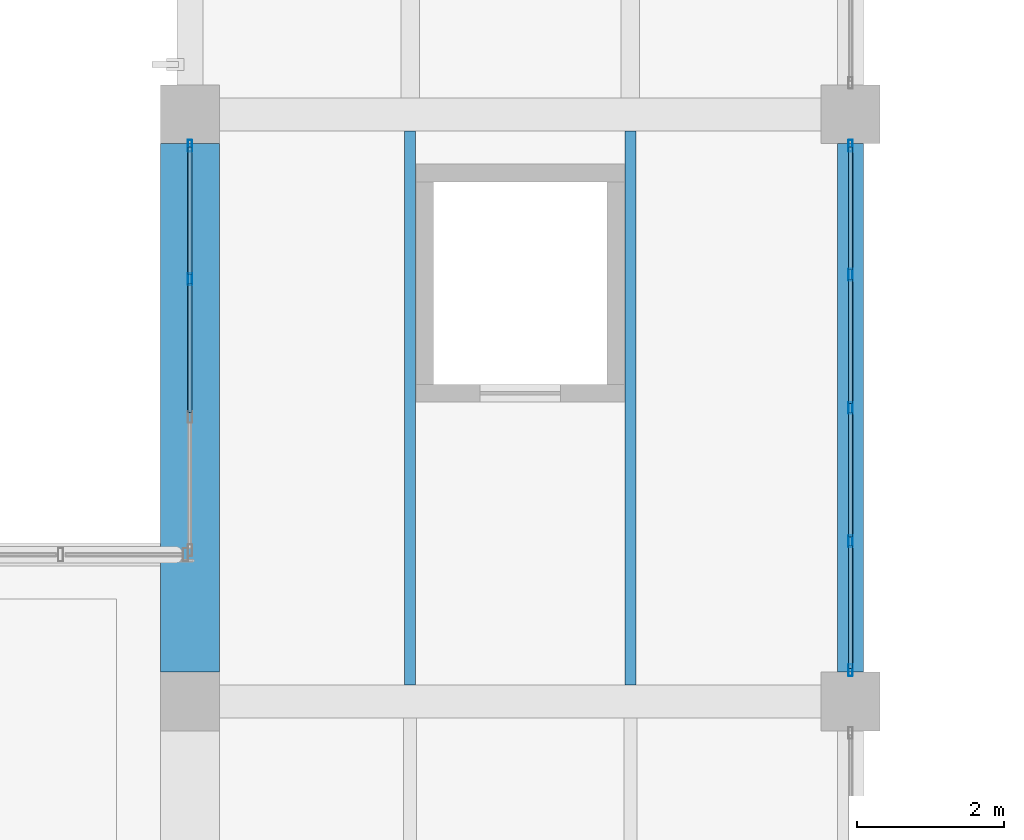
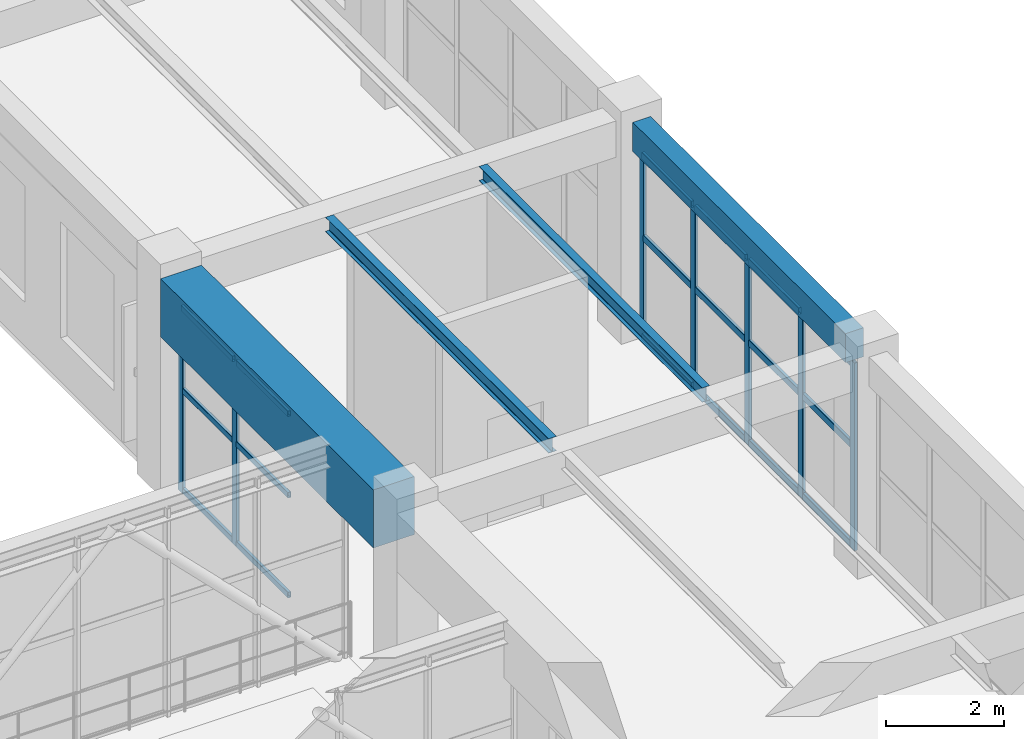
# One storey, part 68 of 178: 25 members, 4 beams, 2 elements without a shape of their own.
"""IFC4 building model written with IfcOpenShell, lengths in metres."""

from ifc_helpers import new_model, si_unit, derived_unit, direction, frame, origin, origin_2d, place, context, subcontext, project, spatial, rectangle, hollow_rectangle, i_section, extrude, material, material_profile, profile_set, type_object, element, aggregate, save


model = new_model("IFC4")

# Units and contexts
model_context = context("Model", 3, precision=1e-05, world=origin(), true_north=direction((0.0, 1.0)))
body_context = subcontext(model_context, "Body", "Model", "MODEL_VIEW")
ifc_project = project(units=[si_unit("LENGTHUNIT", "METRE"), si_unit("AREAUNIT", "SQUARE_METRE"), si_unit("VOLUMEUNIT", "CUBIC_METRE"), si_unit("PLANEANGLEUNIT", "RADIAN"), si_unit("MASSUNIT", "GRAM", prefix="KILO"), derived_unit("THERMALTRANSMITTANCEUNIT", [(si_unit("MASSUNIT", "GRAM", prefix="KILO"), 1), (si_unit("TIMEUNIT", "SECOND"), -3), (si_unit("THERMODYNAMICTEMPERATUREUNIT", "KELVIN"), -1)])], contexts=[model_context])

# Site, building, storey
site_placement = place(None, origin())
site = spatial("IfcSite", under=ifc_project, at=site_placement, CompositionType="ELEMENT")
building_placement = place(site_placement, origin())
building = spatial("IfcBuilding", under=site, at=building_placement, Name="Zhenchuan Archway Interchange", CompositionType="ELEMENT")
storey_placement = place(building_placement, frame((0.0, 0.0, 5.39990234375)))
storey = spatial("IfcBuildingStorey", under=building, at=storey_placement, Name="L01", CompositionType="ELEMENT", Elevation=5.39990234375)

# Beam
ifc_material_1 = material(Name="Concrete C50", Category="concrete")
ifc_material_profile_1 = material_profile(ifc_material_1, rectangle(XDim=0.800048828125, YDim=1.199951171875, at=origin_2d()), Name="RC 800x1200")
ifc_profile_set_1 = profile_set([ifc_material_profile_1], Name="Concrete C50")
beam_type_1 = type_object("IfcBeamType", Name="BM_RC_800x1200", PredefinedType="BEAM", material=ifc_profile_set_1)
beam_1_placement = place(storey_placement, frame((99.0, 56.39990234375, 3.91015625), z_axis=(0.0, 1.0, 0.0), x_axis=(-1.0, 0.0, 0.0)))
element("IfcBeam", 1, at=beam_1_placement, inside=storey, type_object=beam_type_1, Name="Beam 12:H-J (L01)", PredefinedType="BEAM", context=body_context, shape_type="SweptSolid", body=[
    extrude(rectangle(XDim=0.800048828125, YDim=1.199951171875, at=origin_2d()), origin(), (0.0, 0.0, 1.0), 7.2001953125),
])

# Curtain wall, members
ifc_material_2 = material(Name="Anodised Aluminium", Category="aluminium")
curtain_wall_type_1 = type_object("IfcCurtainWallType", Name="CW_UNIT_3", PredefinedType="NOTDEFINED", material=ifc_material_2)
curtain_wall_1_placement = place(storey_placement, origin())
curtain_wall_1 = element("IfcCurtainWall", 2, at=curtain_wall_1_placement, inside=storey, type_object=curtain_wall_type_1, Name="Unitised curtain wall CW:L01:058", PredefinedType="NOTDEFINED")
ifc_material_profile_2 = material_profile(ifc_material_2, hollow_rectangle(XDim=0.06005859375, YDim=0.159912109375, WallThickness=0.00390625, InnerFilletRadius=0.00390625, OuterFilletRadius=0.008056640625, at=origin_2d()), Name="ALU 160x60x4")
ifc_profile_set_2 = profile_set([ifc_material_profile_2], Name="Anodised Aluminium")
member_type_1 = type_object("IfcMemberType", Name="CW_MUL_150", PredefinedType="MULLION", material=ifc_profile_set_2)
member_1_placement = place(storey_placement, frame((99.0, 61.754638671875, 0.0), z_axis=(0.0, 0.0, 1.0), x_axis=(1.0, 0.0, 0.0)))
member_1 = element("IfcMember", 3, at=member_1_placement, type_object=member_type_1, Name="CW:L01:058 mullion 2", PredefinedType="MULLION", context=body_context, shape_type="SweptSolid", body=[
    extrude(hollow_rectangle(XDim=0.06005859375, YDim=0.159912109375, WallThickness=0.00390625, InnerFilletRadius=0.00390625, OuterFilletRadius=0.008056640625, at=origin_2d()), origin(), (0.0, 0.0, 1.0), 3.880126953125),
])
member_2_placement = place(storey_placement, frame((99.0, 63.572021484375, 0.0), z_axis=(0.0, 0.0, 1.0), x_axis=(1.0, 0.0, 0.0)))
member_2 = element("IfcMember", 4, at=member_2_placement, type_object=member_type_1, Name="CW:L01:058 mullion 3", PredefinedType="MULLION", context=body_context, shape_type="SweptSolid", body=[
    extrude(hollow_rectangle(XDim=0.06005859375, YDim=0.159912109375, WallThickness=0.00390625, InnerFilletRadius=0.00390625, OuterFilletRadius=0.008056640625, at=origin_2d()), origin(), (0.0, 0.0, 1.0), 3.880126953125),
])

curtain_wall_type_2 = type_object("IfcCurtainWallType", Name="CW_UNIT_4", PredefinedType="NOTDEFINED", material=ifc_material_2)
curtain_wall_2_placement = place(storey_placement, origin())
curtain_wall_2 = element("IfcCurtainWall", 5, at=curtain_wall_2_placement, inside=storey, type_object=curtain_wall_type_2, Name="Unitised curtain wall CW:L01:099", PredefinedType="NOTDEFINED")
member_3_placement = place(storey_placement, frame((108.0, 63.572021484375, 0.0), z_axis=(0.0, 0.0, 1.0), x_axis=(1.0, 0.0, 0.0)))
member_3 = element("IfcMember", 6, at=member_3_placement, type_object=member_type_1, Name="CW:L01:099 mullion 0", PredefinedType="MULLION", context=body_context, shape_type="SweptSolid", body=[
    extrude(hollow_rectangle(XDim=0.06005859375, YDim=0.159912109375, WallThickness=0.00390625, InnerFilletRadius=0.00390625, OuterFilletRadius=0.008056640625, at=origin_2d()), origin(), (0.0, 0.0, 1.0), 3.880126953125),
])
member_4_placement = place(storey_placement, frame((108.0, 61.81591796875, 0.0), z_axis=(0.0, 0.0, 1.0), x_axis=(1.0, 0.0, 0.0)))
member_4 = element("IfcMember", 7, at=member_4_placement, type_object=member_type_1, Name="CW:L01:099 mullion 1", PredefinedType="MULLION", context=body_context, shape_type="SweptSolid", body=[
    extrude(hollow_rectangle(XDim=0.06005859375, YDim=0.159912109375, WallThickness=0.00390625, InnerFilletRadius=0.00390625, OuterFilletRadius=0.008056640625, at=origin_2d()), origin(), (0.0, 0.0, 1.0), 3.880126953125),
])
member_5_placement = place(storey_placement, frame((108.0, 60.0, 0.0), z_axis=(0.0, 0.0, 1.0), x_axis=(1.0, 0.0, 0.0)))
member_5 = element("IfcMember", 8, at=member_5_placement, type_object=member_type_1, Name="CW:L01:099 mullion 2", PredefinedType="MULLION", context=body_context, shape_type="SweptSolid", body=[
    extrude(hollow_rectangle(XDim=0.06005859375, YDim=0.159912109375, WallThickness=0.00390625, InnerFilletRadius=0.00390625, OuterFilletRadius=0.008056640625, at=origin_2d()), origin(), (0.0, 0.0, 1.0), 3.880126953125),
])
member_6_placement = place(storey_placement, frame((108.0, 58.18408203125, 0.0), z_axis=(0.0, 0.0, 1.0), x_axis=(1.0, 0.0, 0.0)))
member_6 = element("IfcMember", 9, at=member_6_placement, type_object=member_type_1, Name="CW:L01:099 mullion 3", PredefinedType="MULLION", context=body_context, shape_type="SweptSolid", body=[
    extrude(hollow_rectangle(XDim=0.06005859375, YDim=0.159912109375, WallThickness=0.00390625, InnerFilletRadius=0.00390625, OuterFilletRadius=0.008056640625, at=origin_2d()), origin(), (0.0, 0.0, 1.0), 3.880126953125),
])
member_7_placement = place(storey_placement, frame((108.0, 56.427978515625, 0.0), z_axis=(0.0, 0.0, 1.0), x_axis=(1.0, 0.0, 0.0)))
member_7 = element("IfcMember", 10, at=member_7_placement, type_object=member_type_1, Name="CW:L01:099 mullion 4", PredefinedType="MULLION", context=body_context, shape_type="SweptSolid", body=[
    extrude(hollow_rectangle(XDim=0.06005859375, YDim=0.159912109375, WallThickness=0.00390625, InnerFilletRadius=0.00390625, OuterFilletRadius=0.008056640625, at=origin_2d()), origin(), (0.0, 0.0, 1.0), 3.880126953125),
])

# Member
ifc_material_profile_3 = material_profile(ifc_material_2, hollow_rectangle(XDim=0.06005859375, YDim=0.1201171875, WallThickness=0.00341796875, InnerFilletRadius=0.00341796875, OuterFilletRadius=0.007080078125, at=origin_2d()), Name="ALU 120x60x3.5")
ifc_profile_set_3 = profile_set([ifc_material_profile_3], Name="Anodised Aluminium")
member_type_2 = type_object("IfcMemberType", Name="CW_TRN_120", PredefinedType="USERDEFINED", material=ifc_profile_set_3)
member_8_placement = place(storey_placement, frame((99.0, 59.937255859375, 0.06005859375), z_axis=(0.0, 1.0, 0.0), x_axis=(-1.0, 0.0, 0.0)))
member_8 = element("IfcMember", 11, at=member_8_placement, type_object=member_type_2, Name="CW:L01:058 transom 1-1", ObjectType="TRANSOM", PredefinedType="USERDEFINED", context=body_context, shape_type="SweptSolid", body=[
    extrude(hollow_rectangle(XDim=0.06005859375, YDim=0.1201171875, WallThickness=0.00341796875, InnerFilletRadius=0.00341796875, OuterFilletRadius=0.007080078125, at=origin_2d()), origin(), (0.0, 0.0, 1.0), 1.75732421875),
])

member_9_placement = place(storey_placement, frame((99.0, 59.937255859375, 2.123046875), z_axis=(0.0, 1.0, 0.0), x_axis=(-1.0, 0.0, 0.0)))
member_9 = element("IfcMember", 12, at=member_9_placement, type_object=member_type_2, Name="CW:L01:058 transom 1-2", ObjectType="TRANSOM", PredefinedType="USERDEFINED", context=body_context, shape_type="SweptSolid", body=[
    extrude(hollow_rectangle(XDim=0.06005859375, YDim=0.1201171875, WallThickness=0.00341796875, InnerFilletRadius=0.00341796875, OuterFilletRadius=0.007080078125, at=origin_2d()), origin(), (0.0, 0.0, 1.0), 1.75732421875),
])

member_10_placement = place(storey_placement, frame((99.0, 59.937255859375, 3.800048828125), z_axis=(0.0, 1.0, 0.0), x_axis=(-1.0, 0.0, 0.0)))
member_10 = element("IfcMember", 13, at=member_10_placement, type_object=member_type_2, Name="CW:L01:058 transom 1-3", ObjectType="TRANSOM", PredefinedType="USERDEFINED", context=body_context, shape_type="SweptSolid", body=[
    extrude(hollow_rectangle(XDim=0.06005859375, YDim=0.1201171875, WallThickness=0.00341796875, InnerFilletRadius=0.00341796875, OuterFilletRadius=0.007080078125, at=origin_2d()), origin(), (0.0, 0.0, 1.0), 1.75732421875),
])

member_11_placement = place(storey_placement, frame((99.0, 61.814697265625, 0.06005859375), z_axis=(0.0, 1.0, 0.0), x_axis=(-1.0, 0.0, 0.0)))
member_11 = element("IfcMember", 14, at=member_11_placement, type_object=member_type_2, Name="CW:L01:058 transom 2-1", ObjectType="TRANSOM", PredefinedType="USERDEFINED", context=body_context, shape_type="SweptSolid", body=[
    extrude(hollow_rectangle(XDim=0.06005859375, YDim=0.1201171875, WallThickness=0.00341796875, InnerFilletRadius=0.00341796875, OuterFilletRadius=0.007080078125, at=origin_2d()), origin(), (0.0, 0.0, 1.0), 1.7373046875),
])

member_12_placement = place(storey_placement, frame((99.0, 61.814697265625, 2.123046875), z_axis=(0.0, 1.0, 0.0), x_axis=(-1.0, 0.0, 0.0)))
member_12 = element("IfcMember", 15, at=member_12_placement, type_object=member_type_2, Name="CW:L01:058 transom 2-2", ObjectType="TRANSOM", PredefinedType="USERDEFINED", context=body_context, shape_type="SweptSolid", body=[
    extrude(hollow_rectangle(XDim=0.06005859375, YDim=0.1201171875, WallThickness=0.00341796875, InnerFilletRadius=0.00341796875, OuterFilletRadius=0.007080078125, at=origin_2d()), origin(), (0.0, 0.0, 1.0), 1.7373046875),
])

member_13_placement = place(storey_placement, frame((99.0, 61.814697265625, 3.800048828125), z_axis=(0.0, 1.0, 0.0), x_axis=(-1.0, 0.0, 0.0)))
member_13 = element("IfcMember", 16, at=member_13_placement, type_object=member_type_2, Name="CW:L01:058 transom 2-3", ObjectType="TRANSOM", PredefinedType="USERDEFINED", context=body_context, shape_type="SweptSolid", body=[
    extrude(hollow_rectangle(XDim=0.06005859375, YDim=0.1201171875, WallThickness=0.00341796875, InnerFilletRadius=0.00341796875, OuterFilletRadius=0.007080078125, at=origin_2d()), origin(), (0.0, 0.0, 1.0), 1.7373046875),
])

aggregate(curtain_wall_1, [member_1, member_2, member_8, member_9, member_10, member_11, member_12, member_13])

ifc_material_profile_4 = material_profile(ifc_material_2, hollow_rectangle(XDim=0.06005859375, YDim=0.139892578125, WallThickness=0.00341796875, InnerFilletRadius=0.00341796875, OuterFilletRadius=0.007080078125, at=origin_2d()), Name="ALU 140x60x3.5")
ifc_profile_set_4 = profile_set([ifc_material_profile_4], Name="Anodised Aluminium")
member_type_3 = type_object("IfcMemberType", Name="CW_TRN_140", PredefinedType="USERDEFINED", material=ifc_profile_set_4)
member_14_placement = place(storey_placement, frame((108.0, 63.552001953125, 0.06005859375), z_axis=(0.0, -1.0, 0.0), x_axis=(1.0, 0.0, 0.0)))
member_14 = element("IfcMember", 17, at=member_14_placement, type_object=member_type_3, Name="CW:L01:099 transom 0-1", ObjectType="TRANSOM", PredefinedType="USERDEFINED", context=body_context, shape_type="SweptSolid", body=[
    extrude(hollow_rectangle(XDim=0.06005859375, YDim=0.139892578125, WallThickness=0.00341796875, InnerFilletRadius=0.00341796875, OuterFilletRadius=0.007080078125, at=origin_2d()), origin(), (0.0, 0.0, 1.0), 1.676025390625),
])

member_15_placement = place(storey_placement, frame((108.0, 63.552001953125, 2.123046875), z_axis=(0.0, -1.0, 0.0), x_axis=(1.0, 0.0, 0.0)))
member_15 = element("IfcMember", 18, at=member_15_placement, type_object=member_type_3, Name="CW:L01:099 transom 0-2", ObjectType="TRANSOM", PredefinedType="USERDEFINED", context=body_context, shape_type="SweptSolid", body=[
    extrude(hollow_rectangle(XDim=0.06005859375, YDim=0.139892578125, WallThickness=0.00341796875, InnerFilletRadius=0.00341796875, OuterFilletRadius=0.007080078125, at=origin_2d()), origin(), (0.0, 0.0, 1.0), 1.676025390625),
])

member_16_placement = place(storey_placement, frame((108.0, 63.552001953125, 3.800048828125), z_axis=(0.0, -1.0, 0.0), x_axis=(1.0, 0.0, 0.0)))
member_16 = element("IfcMember", 19, at=member_16_placement, type_object=member_type_3, Name="CW:L01:099 transom 0-3", ObjectType="TRANSOM", PredefinedType="USERDEFINED", context=body_context, shape_type="SweptSolid", body=[
    extrude(hollow_rectangle(XDim=0.06005859375, YDim=0.139892578125, WallThickness=0.00341796875, InnerFilletRadius=0.00341796875, OuterFilletRadius=0.007080078125, at=origin_2d()), origin(), (0.0, 0.0, 1.0), 1.676025390625),
])

member_17_placement = place(storey_placement, frame((108.0, 61.756103515625, 0.06005859375), z_axis=(0.0, -1.0, 0.0), x_axis=(1.0, 0.0, 0.0)))
member_17 = element("IfcMember", 20, at=member_17_placement, type_object=member_type_3, Name="CW:L01:099 transom 1-1", ObjectType="TRANSOM", PredefinedType="USERDEFINED", context=body_context, shape_type="SweptSolid", body=[
    extrude(hollow_rectangle(XDim=0.06005859375, YDim=0.139892578125, WallThickness=0.00341796875, InnerFilletRadius=0.00341796875, OuterFilletRadius=0.007080078125, at=origin_2d()), origin(), (0.0, 0.0, 1.0), 1.696044921875),
])

member_18_placement = place(storey_placement, frame((108.0, 61.756103515625, 2.123046875), z_axis=(0.0, -1.0, 0.0), x_axis=(1.0, 0.0, 0.0)))
member_18 = element("IfcMember", 21, at=member_18_placement, type_object=member_type_3, Name="CW:L01:099 transom 1-2", ObjectType="TRANSOM", PredefinedType="USERDEFINED", context=body_context, shape_type="SweptSolid", body=[
    extrude(hollow_rectangle(XDim=0.06005859375, YDim=0.139892578125, WallThickness=0.00341796875, InnerFilletRadius=0.00341796875, OuterFilletRadius=0.007080078125, at=origin_2d()), origin(), (0.0, 0.0, 1.0), 1.696044921875),
])

member_19_placement = place(storey_placement, frame((108.0, 61.756103515625, 3.800048828125), z_axis=(0.0, -1.0, 0.0), x_axis=(1.0, 0.0, 0.0)))
member_19 = element("IfcMember", 22, at=member_19_placement, type_object=member_type_3, Name="CW:L01:099 transom 1-3", ObjectType="TRANSOM", PredefinedType="USERDEFINED", context=body_context, shape_type="SweptSolid", body=[
    extrude(hollow_rectangle(XDim=0.06005859375, YDim=0.139892578125, WallThickness=0.00341796875, InnerFilletRadius=0.00341796875, OuterFilletRadius=0.007080078125, at=origin_2d()), origin(), (0.0, 0.0, 1.0), 1.696044921875),
])

member_20_placement = place(storey_placement, frame((108.0, 59.93994140625, 0.06005859375), z_axis=(0.0, -1.0, 0.0), x_axis=(1.0, 0.0, 0.0)))
member_20 = element("IfcMember", 23, at=member_20_placement, type_object=member_type_3, Name="CW:L01:099 transom 2-1", ObjectType="TRANSOM", PredefinedType="USERDEFINED", context=body_context, shape_type="SweptSolid", body=[
    extrude(hollow_rectangle(XDim=0.06005859375, YDim=0.139892578125, WallThickness=0.00341796875, InnerFilletRadius=0.00341796875, OuterFilletRadius=0.007080078125, at=origin_2d()), origin(), (0.0, 0.0, 1.0), 1.696044921875),
])

member_21_placement = place(storey_placement, frame((108.0, 59.93994140625, 2.123046875), z_axis=(0.0, -1.0, 0.0), x_axis=(1.0, 0.0, 0.0)))
member_21 = element("IfcMember", 24, at=member_21_placement, type_object=member_type_3, Name="CW:L01:099 transom 2-2", ObjectType="TRANSOM", PredefinedType="USERDEFINED", context=body_context, shape_type="SweptSolid", body=[
    extrude(hollow_rectangle(XDim=0.06005859375, YDim=0.139892578125, WallThickness=0.00341796875, InnerFilletRadius=0.00341796875, OuterFilletRadius=0.007080078125, at=origin_2d()), origin(), (0.0, 0.0, 1.0), 1.696044921875),
])

member_22_placement = place(storey_placement, frame((108.0, 59.93994140625, 3.800048828125), z_axis=(0.0, -1.0, 0.0), x_axis=(1.0, 0.0, 0.0)))
member_22 = element("IfcMember", 25, at=member_22_placement, type_object=member_type_3, Name="CW:L01:099 transom 2-3", ObjectType="TRANSOM", PredefinedType="USERDEFINED", context=body_context, shape_type="SweptSolid", body=[
    extrude(hollow_rectangle(XDim=0.06005859375, YDim=0.139892578125, WallThickness=0.00341796875, InnerFilletRadius=0.00341796875, OuterFilletRadius=0.007080078125, at=origin_2d()), origin(), (0.0, 0.0, 1.0), 1.696044921875),
])

member_23_placement = place(storey_placement, frame((108.0, 58.1240234375, 0.06005859375), z_axis=(0.0, -1.0, 0.0), x_axis=(1.0, 0.0, 0.0)))
member_23 = element("IfcMember", 26, at=member_23_placement, type_object=member_type_3, Name="CW:L01:099 transom 3-1", ObjectType="TRANSOM", PredefinedType="USERDEFINED", context=body_context, shape_type="SweptSolid", body=[
    extrude(hollow_rectangle(XDim=0.06005859375, YDim=0.139892578125, WallThickness=0.00341796875, InnerFilletRadius=0.00341796875, OuterFilletRadius=0.007080078125, at=origin_2d()), origin(), (0.0, 0.0, 1.0), 1.676025390625),
])

member_24_placement = place(storey_placement, frame((108.0, 58.1240234375, 2.123046875), z_axis=(0.0, -1.0, 0.0), x_axis=(1.0, 0.0, 0.0)))
member_24 = element("IfcMember", 27, at=member_24_placement, type_object=member_type_3, Name="CW:L01:099 transom 3-2", ObjectType="TRANSOM", PredefinedType="USERDEFINED", context=body_context, shape_type="SweptSolid", body=[
    extrude(hollow_rectangle(XDim=0.06005859375, YDim=0.139892578125, WallThickness=0.00341796875, InnerFilletRadius=0.00341796875, OuterFilletRadius=0.007080078125, at=origin_2d()), origin(), (0.0, 0.0, 1.0), 1.676025390625),
])

member_25_placement = place(storey_placement, frame((108.0, 58.1240234375, 3.800048828125), z_axis=(0.0, -1.0, 0.0), x_axis=(1.0, 0.0, 0.0)))
member_25 = element("IfcMember", 28, at=member_25_placement, type_object=member_type_3, Name="CW:L01:099 transom 3-3", ObjectType="TRANSOM", PredefinedType="USERDEFINED", context=body_context, shape_type="SweptSolid", body=[
    extrude(hollow_rectangle(XDim=0.06005859375, YDim=0.139892578125, WallThickness=0.00341796875, InnerFilletRadius=0.00341796875, OuterFilletRadius=0.007080078125, at=origin_2d()), origin(), (0.0, 0.0, 1.0), 1.676025390625),
])

aggregate(curtain_wall_2, [member_3, member_4, member_5, member_6, member_7, member_14, member_15, member_16, member_17, member_18, member_19, member_20, member_21, member_22, member_23, member_24, member_25])

# Beams
ifc_material_3 = material(Name="Steel Q355", Category="steel")
ifc_material_profile_5 = material_profile(ifc_material_3, i_section(OverallWidth=0.14990234375, OverallDepth=0.300048828125, WebThickness=0.006591796875, FlangeThickness=0.009033203125, FilletRadius=0.012939453125, at=origin_2d()), Name="HN 300x150")
ifc_profile_set_5 = profile_set([ifc_material_profile_5], Name="Steel Q355")
beam_type_2 = type_object("IfcBeamType", Name="JST_STL_HN300", PredefinedType="JOIST", material=ifc_profile_set_5)
for number, where, z_axis, x_axis, name in (
    (29, (102.0, 56.22509765625, 4.360107421875), (0.0, 1.0, 0.0), (-1.0, 0.0, 0.0), "Secondary joist 12-13/H-J #1 (L01)"),
    (30, (105.0, 56.22509765625, 4.360107421875), (0.0, 1.0, 0.0), (-1.0, 0.0, 0.0), "Secondary joist 12-13/H-J #2 (L01)"),
):
    element("IfcBeam", number, at=place(storey_placement, frame(where, z_axis=z_axis, x_axis=x_axis)), inside=storey, type_object=beam_type_2, Name=name, PredefinedType="JOIST", context=body_context, shape_type="SweptSolid", body=[
        extrude(i_section(OverallWidth=0.14990234375, OverallDepth=0.300048828125, WebThickness=0.006591796875, FlangeThickness=0.009033203125, FilletRadius=0.012939453125, at=origin_2d()), origin(), (0.0, 0.0, 1.0), 7.5498046875),
    ])
ifc_material_4 = material(Name="Concrete C40", Category="concrete")
ifc_material_profile_6 = material_profile(ifc_material_4, rectangle(XDim=0.35009765625, YDim=0.60009765625, at=origin_2d()), Name="RC 350x600")
ifc_profile_set_6 = profile_set([ifc_material_profile_6], Name="Concrete C40")
beam_type_3 = type_object("IfcBeamType", Name="SP_RC_350x600", PredefinedType="SPANDREL", material=ifc_profile_set_6)
beam_2_placement = place(storey_placement, frame((108.0, 56.39990234375, 4.210205078125), z_axis=(0.0, 1.0, 0.0), x_axis=(-1.0, 0.0, 0.0)))
element("IfcBeam", 31, at=beam_2_placement, inside=storey, type_object=beam_type_3, Name="Beam 13:H-J (L01)", PredefinedType="SPANDREL", context=body_context, shape_type="SweptSolid", body=[
    extrude(rectangle(XDim=0.35009765625, YDim=0.60009765625, at=origin_2d()), origin(), (0.0, 0.0, 1.0), 7.2001953125),
])

save(model, "model.ifc")
